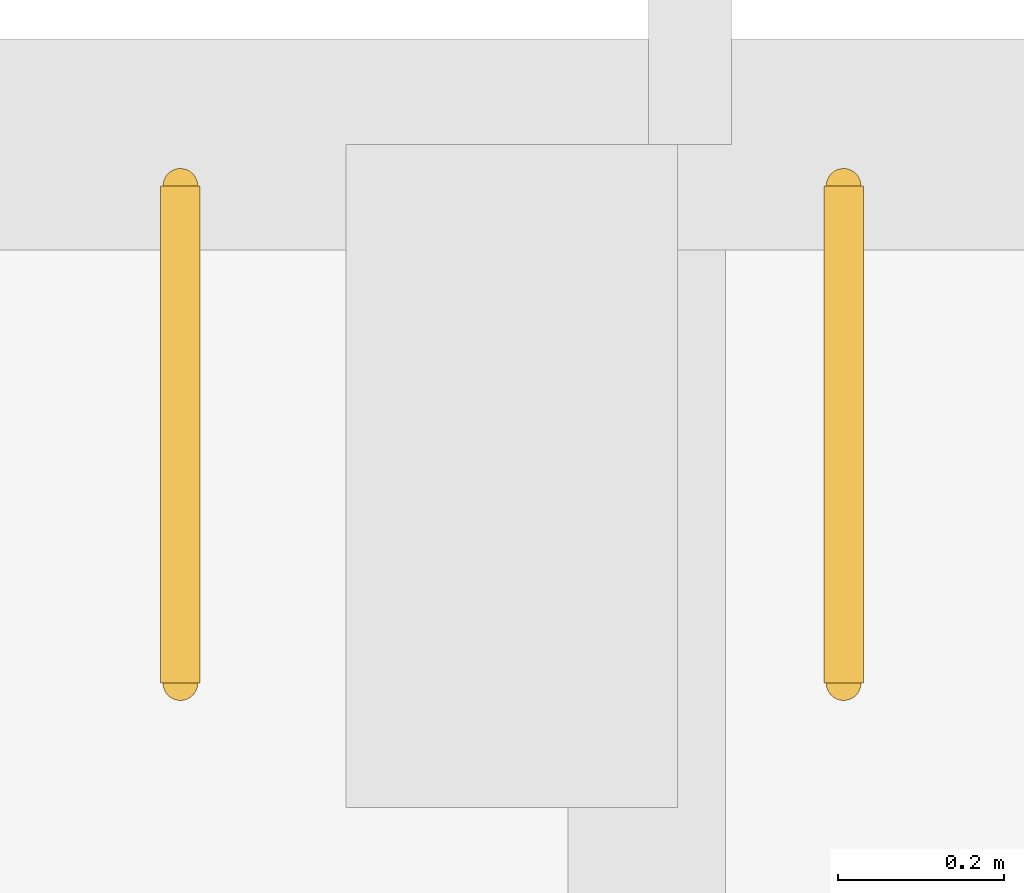
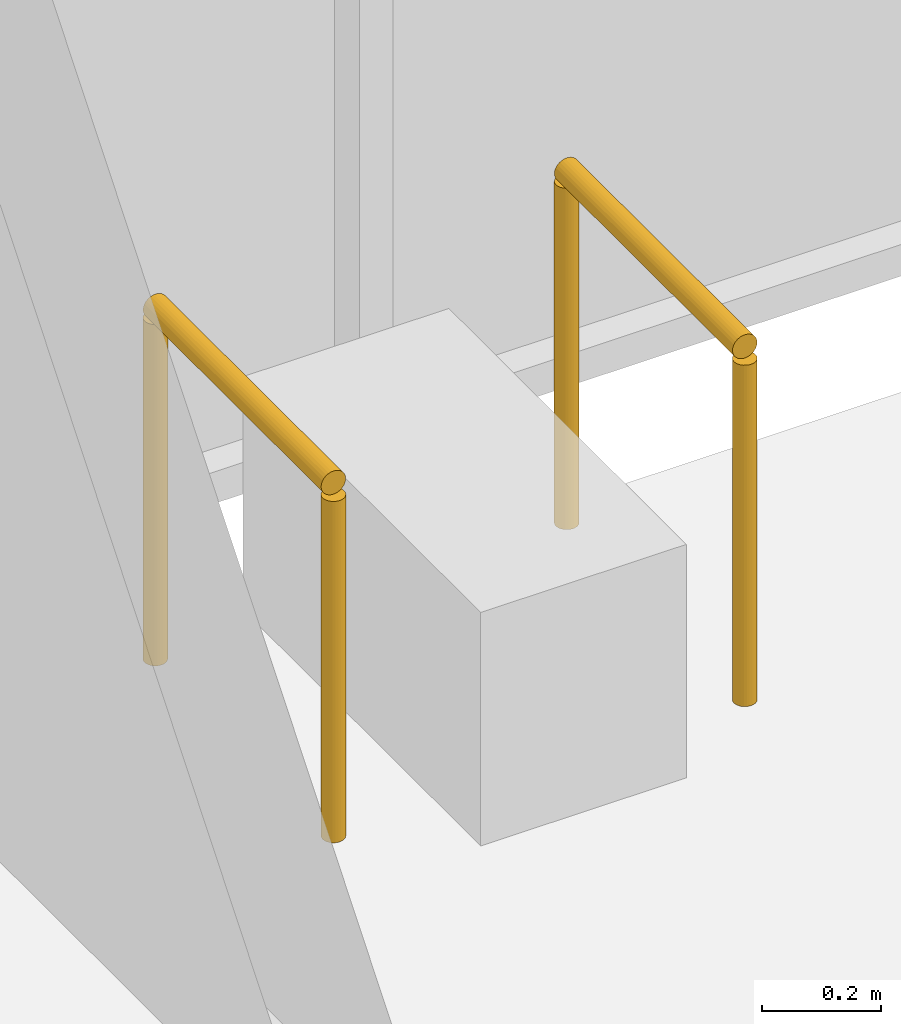
# One storey, part 36 of 37: 2 railings.
"""IFC4 building model written with IfcOpenShell, lengths in metres."""

from ifc_helpers import new_model, si_unit, direction, frame, origin, origin_2d, place, context, subcontext, project, spatial, circle, extrude, material, type_object, element, save


model = new_model("IFC4")

# Units and contexts
model_context = context("Model", 3, precision=1e-05, world=origin(), true_north=direction((0.0, 1.0)))
body_context = subcontext(model_context, "Body", "Model", "MODEL_VIEW")
ifc_project = project(units=[si_unit("LENGTHUNIT", "METRE"), si_unit("AREAUNIT", "SQUARE_METRE"), si_unit("VOLUMEUNIT", "CUBIC_METRE"), si_unit("PLANEANGLEUNIT", "RADIAN"), si_unit("MASSUNIT", "GRAM", prefix="KILO")], contexts=[model_context])

# Site, building, storey
site_placement = place(None, origin())
site = spatial("IfcSite", under=ifc_project, at=site_placement, CompositionType="ELEMENT")
building_placement = place(site_placement, origin())
building = spatial("IfcBuilding", under=site, at=building_placement, Name="Baradari Gate Terminus", CompositionType="ELEMENT")
storey_placement = place(building_placement, frame((0.0, 0.0, 24.300048828125)))
storey = spatial("IfcBuildingStorey", under=building, at=storey_placement, Name="L05", CompositionType="ELEMENT", Elevation=24.300048828125)

# Railings
ifc_material = material(Name="Stainless steel 1.4301", Category="steel")
railing_type = type_object("IfcRailingType", Name="Grab rail GB-1 750", PredefinedType="HANDRAIL", material=ifc_material)
for number, where, name in (
    (1, (38.4375, 143.949951171875, 0.0), "Grab rail Accessible WC"),
    (2, (39.237548828125, 143.949951171875, 0.0), "Grab rail Accessible WC"),
):
    element("IfcRailing", number, at=place(storey_placement, frame(where)), inside=storey, type_object=railing_type, Name=name, PredefinedType="HANDRAIL", context=body_context, shape_type="SweptSolid", body=[
        extrude(circle(Radius=0.02392578125, at=origin_2d()), frame((0.0, 0.0, 0.72607421875), z_axis=(0.0, -1.0, 0.0), x_axis=(1.0, 0.0, 0.0)), (0.0, 0.0, 1.0), 0.599853515625),
        extrude(circle(Radius=0.02099609375, at=origin_2d()), origin(), (0.0, 0.0, 1.0), 0.701904296875),
        extrude(circle(Radius=0.02099609375, at=origin_2d()), frame((0.0, -0.599853515625, 0.0)), (0.0, 0.0, 1.0), 0.701904296875),
    ])

save(model, "model.ifc")
